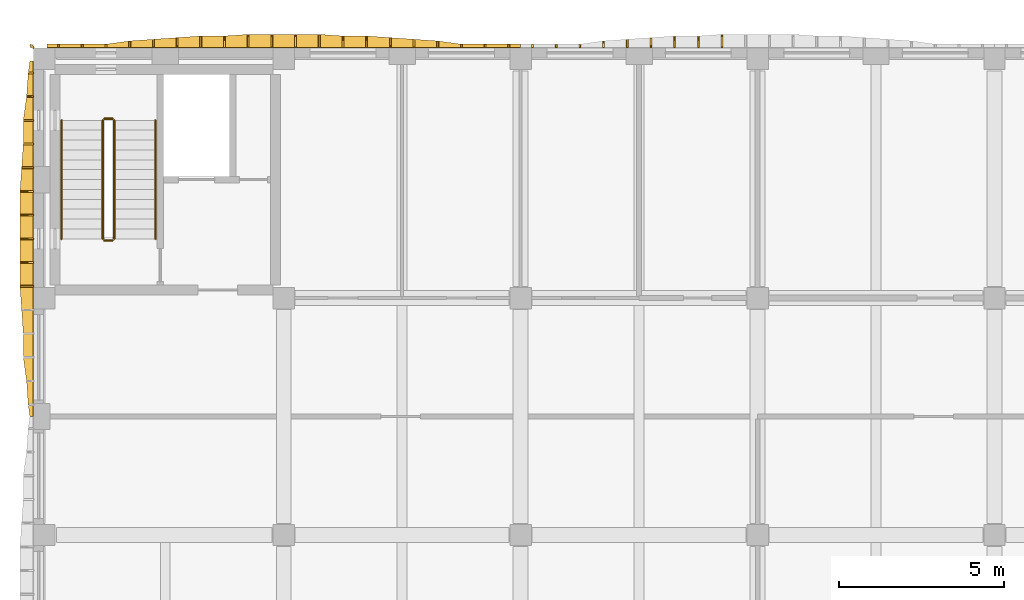
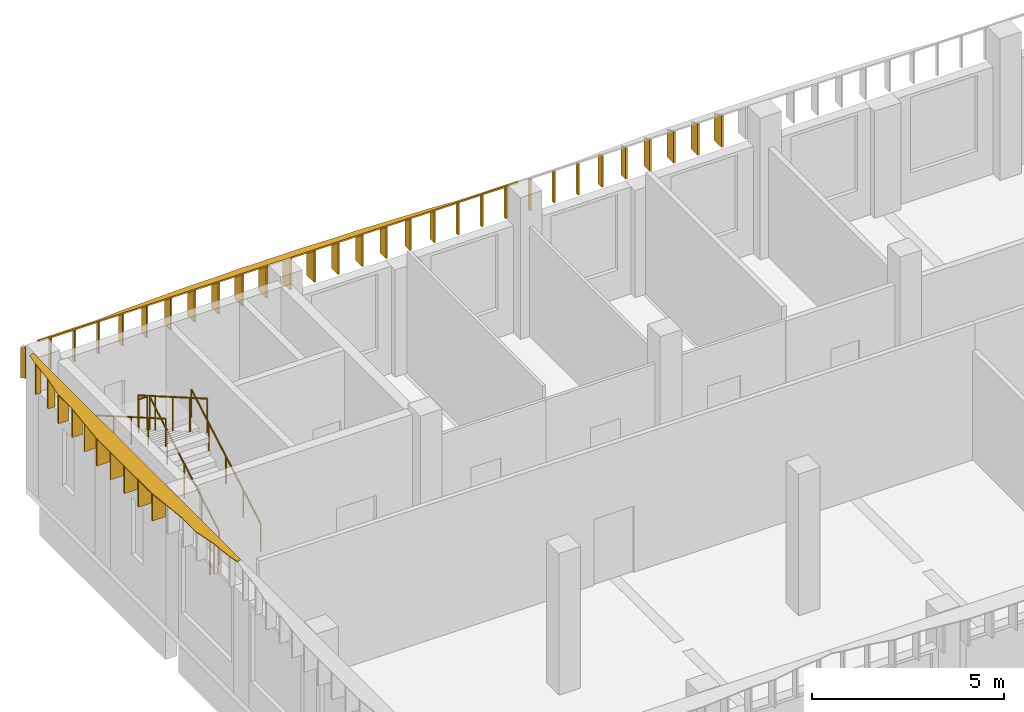
# One storey, part 44 of 58: 42 shading devices, 6 railings.
"""IFC4 building model written with IfcOpenShell, lengths in metres."""

from ifc_helpers import new_model, si_unit, direction, frame, origin, origin_2d, place, context, subcontext, project, spatial, polyline, circle, outline, extrude, material, layer, layer_set, type_object, element, save


model = new_model("IFC4")

# Units and contexts
model_context = context("Model", 3, precision=1e-05, world=origin(), true_north=direction((0.0, 1.0)))
body_context = subcontext(model_context, "Body", "Model", "MODEL_VIEW")
ifc_project = project(units=[si_unit("LENGTHUNIT", "METRE"), si_unit("AREAUNIT", "SQUARE_METRE"), si_unit("VOLUMEUNIT", "CUBIC_METRE"), si_unit("PLANEANGLEUNIT", "RADIAN"), si_unit("MASSUNIT", "GRAM", prefix="KILO")], contexts=[model_context])

# Site, building, storey
site_placement = place(None, origin())
site = spatial("IfcSite", under=ifc_project, at=site_placement, CompositionType="ELEMENT")
building_placement = place(site_placement, origin())
building = spatial("IfcBuilding", under=site, at=building_placement, Name="Ussher Court Research Institute", CompositionType="ELEMENT")
storey_placement = place(building_placement, frame((0.0, 0.0, 9.89990234375)))
storey = spatial("IfcBuildingStorey", under=building, at=storey_placement, Name="L02", CompositionType="ELEMENT", Elevation=9.89990234375)

# Shading devices
ifc_material_1 = material(Name="Bronze anodised aluminium", Category="aluminium")
ifc_layer_1 = layer(ifc_material_1, 0.050048828125)
ifc_layer_set_1 = layer_set([ifc_layer_1], Name="Bronze anodised aluminium")
shading_device_type_1 = type_object("IfcShadingDeviceType", Name="Brim blade 100 mm deep 1000 mm high canted 20 deg dry", PredefinedType="USERDEFINED", material=ifc_layer_set_1)
for number, where, z_axis, x_axis, name in (
    (1, (3.360107421875, 90.800048828125, 3.4501953125), (0.0, 0.0, 1.0), (0.0, 1.0, 0.0), "Brim blade BS17 L02"),
    (2, (4.080078125, 90.800048828125, 3.4501953125), (0.0, 0.0, 1.0), (0.0, 1.0, 0.0), "Brim blade BS17 L02"),
    (3, (4.800048828125, 90.800048828125, 3.4501953125), (0.0, 0.0, 1.0), (0.0, 1.0, 0.0), "Brim blade BS17 L02"),
    (4, (15.60009765625, 90.800048828125, 3.4501953125), (0.0, 0.0, 1.0), (0.0, 1.0, 0.0), "Brim blade BS17 L02"),
    (5, (16.320068359375, 90.800048828125, 3.4501953125), (0.0, 0.0, 1.0), (0.0, 1.0, 0.0), "Brim blade BS17 L02"),
    (6, (17.0400390625, 90.800048828125, 3.4501953125), (0.0, 0.0, 1.0), (0.0, 1.0, 0.0), "Brim blade BS17 L02"),
    (7, (17.760009765625, 90.800048828125, 3.4501953125), (0.0, 0.0, 1.0), (0.0, 1.0, 0.0), "Brim blade BS17 L02"),
    (8, (18.47998046875, 90.800048828125, 3.4501953125), (0.0, 0.0, 1.0), (0.0, 1.0, 0.0), "Brim blade BS17 L02"),
    (9, (19.199951171875, 90.800048828125, 3.4501953125), (0.0, 0.0, 1.0), (0.0, 1.0, 0.0), "Brim blade BS17 L02"),
):
    element("IfcShadingDevice", number, at=place(storey_placement, frame(where, z_axis=z_axis, x_axis=x_axis)), inside=storey, type_object=shading_device_type_1, Name=name, ObjectType="BLADE", PredefinedType="USERDEFINED", context=body_context, shape_type="SweptSolid", body=[
        extrude(outline(polyline([(0.0, 0.0), (0.099853515625, 0.0), (0.10009765625, 0.963623046875), (0.0, 1.0), (0.0, 0.0)])), frame((0.0, 0.02490234375, 0.0), z_axis=(0.0, -1.0, 0.0), x_axis=(1.0, 0.0, 0.0)), (0.0, 0.0, 1.0), 0.050048828125),
    ])
ifc_material_2 = material(Name="Bronze anodised aluminium", Category="aluminium")
ifc_layer_2 = layer(ifc_material_2, 0.050048828125)
ifc_layer_set_2 = layer_set([ifc_layer_2], Name="Bronze anodised aluminium")
shading_device_type_2 = type_object("IfcShadingDeviceType", Name="Brim blade 150 mm deep 1000 mm high canted 20 deg dry", PredefinedType="USERDEFINED", material=ifc_layer_set_2)
shading_device_1_placement = place(storey_placement, frame((2.60009765625, 90.0400390625, 3.4501953125), z_axis=(0.0, 0.0, 1.0), x_axis=(-1.0, 0.0, 0.0)))
element("IfcShadingDevice", 10, at=shading_device_1_placement, inside=storey, type_object=shading_device_type_2, Name="Brim blade BS16 L02", ObjectType="BLADE", PredefinedType="USERDEFINED", context=body_context, shape_type="SweptSolid", body=[
    extrude(outline(polyline([(0.0, 0.0), (0.150146484375, 0.0), (0.14990234375, 0.9453125), (0.0, 1.0), (0.0, 0.0)])), frame((0.0, 0.02490234375, 0.0), z_axis=(0.0, -1.0, 0.0), x_axis=(1.0, 0.0, 0.0)), (0.0, 0.0, 1.0), 0.050048828125),
])
ifc_material_3 = material(Name="Bronze anodised aluminium", Category="aluminium")
ifc_layer_3 = layer(ifc_material_3, 0.050048828125)
ifc_layer_set_3 = layer_set([ifc_layer_3], Name="Bronze anodised aluminium")
shading_device_type_3 = type_object("IfcShadingDeviceType", Name="Brim blade 200 mm deep 1000 mm high canted 20 deg dry", PredefinedType="USERDEFINED", material=ifc_layer_set_3)
for number, where, z_axis, x_axis, name in (
    (11, (5.52001953125, 90.800048828125, 3.4501953125), (0.0, 0.0, 1.0), (0.0, 1.0, 0.0), "Brim blade BS15 L02"),
    (12, (14.8798828125, 90.800048828125, 3.4501953125), (0.0, 0.0, 1.0), (0.0, 1.0, 0.0), "Brim blade BS15 L02"),
    (13, (19.919921875, 90.800048828125, 3.4501953125), (0.0, 0.0, 1.0), (0.0, 1.0, 0.0), "Brim blade BS15 L02"),
):
    element("IfcShadingDevice", number, at=place(storey_placement, frame(where, z_axis=z_axis, x_axis=x_axis)), inside=storey, type_object=shading_device_type_3, Name=name, ObjectType="BLADE", PredefinedType="USERDEFINED", context=body_context, shape_type="SweptSolid", body=[
        extrude(outline(polyline([(0.0, 0.0), (0.199951171875, 0.0), (0.199951171875, 0.927001953125), (0.0, 1.0), (0.0, 0.0)])), frame((0.0, 0.02490234375, 0.0), z_axis=(0.0, -1.0, 0.0), x_axis=(1.0, 0.0, 0.0)), (0.0, 0.0, 1.0), 0.050048828125),
    ])
shading_device_2_placement = place(storey_placement, frame((2.60009765625, 89.320068359375, 3.4501953125), z_axis=(0.0, 0.0, 1.0), x_axis=(-1.0, 0.0, 0.0)))
element("IfcShadingDevice", 14, at=shading_device_2_placement, inside=storey, type_object=shading_device_type_3, Name="Brim blade BS15 L02", ObjectType="BLADE", PredefinedType="USERDEFINED", context=body_context, shape_type="SweptSolid", body=[
    extrude(outline(polyline([(0.0, 0.0), (0.2001953125, 0.0), (0.199951171875, 0.927001953125), (0.0, 1.0), (0.0, 0.0)])), frame((0.0, 0.02490234375, 0.0), z_axis=(0.0, -1.0, 0.0), x_axis=(1.0, 0.0, 0.0)), (0.0, 0.0, 1.0), 0.050048828125),
])
ifc_material_4 = material(Name="Bronze anodised aluminium", Category="aluminium")
ifc_layer_4 = layer(ifc_material_4, 0.050048828125)
ifc_layer_set_4 = layer_set([ifc_layer_4], Name="Bronze anodised aluminium")
shading_device_type_4 = type_object("IfcShadingDeviceType", Name="Brim blade 250 mm deep 1000 mm high canted 20 deg dry", PredefinedType="USERDEFINED", material=ifc_layer_set_4)
for number, where, z_axis, x_axis, name in (
    (15, (6.239990234375, 90.800048828125, 3.4501953125), (0.0, 0.0, 1.0), (0.0, 1.0, 0.0), "Brim blade BS14 L02"),
    (16, (14.159912109375, 90.800048828125, 3.4501953125), (0.0, 0.0, 1.0), (0.0, 1.0, 0.0), "Brim blade BS14 L02"),
    (17, (20.639892578125, 90.800048828125, 3.4501953125), (0.0, 0.0, 1.0), (0.0, 1.0, 0.0), "Brim blade BS14 L02"),
):
    element("IfcShadingDevice", number, at=place(storey_placement, frame(where, z_axis=z_axis, x_axis=x_axis)), inside=storey, type_object=shading_device_type_4, Name=name, ObjectType="BLADE", PredefinedType="USERDEFINED", context=body_context, shape_type="SweptSolid", body=[
        extrude(outline(polyline([(0.0, 0.0), (0.25, 0.0), (0.25, 0.908935546875), (0.0, 1.0), (0.0, 0.0)])), frame((0.0, 0.02490234375, 0.0), z_axis=(0.0, -1.0, 0.0), x_axis=(1.0, 0.0, 0.0)), (0.0, 0.0, 1.0), 0.050048828125),
    ])
ifc_material_5 = material(Name="Bronze anodised aluminium", Category="aluminium")
ifc_layer_5 = layer(ifc_material_5, 0.050048828125)
ifc_layer_set_5 = layer_set([ifc_layer_5], Name="Bronze anodised aluminium")
shading_device_type_5 = type_object("IfcShadingDeviceType", Name="Brim blade 300 mm deep 1000 mm high canted 20 deg dry", PredefinedType="USERDEFINED", material=ifc_layer_set_5)
for number, where, z_axis, x_axis, name in (
    (18, (6.9599609375, 90.800048828125, 3.4501953125), (0.0, 0.0, 1.0), (0.0, 1.0, 0.0), "Brim blade BS13 L02"),
    (19, (13.43994140625, 90.800048828125, 3.4501953125), (0.0, 0.0, 1.0), (0.0, 1.0, 0.0), "Brim blade BS13 L02"),
    (20, (21.360107421875, 90.800048828125, 3.4501953125), (0.0, 0.0, 1.0), (0.0, 1.0, 0.0), "Brim blade BS13 L02"),
    (21, (2.60009765625, 87.8798828125, 3.4501953125), (0.0, 0.0, 1.0), (-1.0, 0.0, 0.0), "Brim blade BS13 L02"),
    (22, (2.60009765625, 88.60009765625, 3.4501953125), (0.0, 0.0, 1.0), (-1.0, 0.0, 0.0), "Brim blade BS13 L02"),
):
    element("IfcShadingDevice", number, at=place(storey_placement, frame(where, z_axis=z_axis, x_axis=x_axis)), inside=storey, type_object=shading_device_type_5, Name=name, ObjectType="BLADE", PredefinedType="USERDEFINED", context=body_context, shape_type="SweptSolid", body=[
        extrude(outline(polyline([(0.0, 0.0), (0.300048828125, 0.0), (0.300048828125, 0.890625), (0.0, 1.0), (0.0, 0.0)])), frame((0.0, 0.02490234375, 0.0), z_axis=(0.0, -1.0, 0.0), x_axis=(1.0, 0.0, 0.0)), (0.0, 0.0, 1.0), 0.050048828125),
    ])
ifc_material_6 = material(Name="Bronze anodised aluminium", Category="aluminium")
ifc_layer_6 = layer(ifc_material_6, 0.050048828125)
ifc_layer_set_6 = layer_set([ifc_layer_6], Name="Bronze anodised aluminium")
shading_device_type_6 = type_object("IfcShadingDeviceType", Name="Brim blade 350 mm deep 1000 mm high canted 20 deg dry", PredefinedType="USERDEFINED", material=ifc_layer_set_6)
for number, where, z_axis, x_axis, name in (
    (23, (7.679931640625, 90.800048828125, 3.4501953125), (0.0, 0.0, 1.0), (0.0, 1.0, 0.0), "Brim blade BS12 L02"),
    (24, (8.39990234375, 90.800048828125, 3.4501953125), (0.0, 0.0, 1.0), (0.0, 1.0, 0.0), "Brim blade BS12 L02"),
    (25, (12.0, 90.800048828125, 3.4501953125), (0.0, 0.0, 1.0), (0.0, 1.0, 0.0), "Brim blade BS12 L02"),
    (26, (12.719970703125, 90.800048828125, 3.4501953125), (0.0, 0.0, 1.0), (0.0, 1.0, 0.0), "Brim blade BS12 L02"),
    (27, (22.080078125, 90.800048828125, 3.4501953125), (0.0, 0.0, 1.0), (0.0, 1.0, 0.0), "Brim blade BS12 L02"),
    (28, (22.800048828125, 90.800048828125, 3.4501953125), (0.0, 0.0, 1.0), (0.0, 1.0, 0.0), "Brim blade BS12 L02"),
):
    element("IfcShadingDevice", number, at=place(storey_placement, frame(where, z_axis=z_axis, x_axis=x_axis)), inside=storey, type_object=shading_device_type_6, Name=name, ObjectType="BLADE", PredefinedType="USERDEFINED", context=body_context, shape_type="SweptSolid", body=[
        extrude(outline(polyline([(0.0, 0.0), (0.349853515625, 0.0), (0.35009765625, 0.87255859375), (0.0, 1.0), (0.0, 0.0)])), frame((0.0, 0.02490234375, 0.0), z_axis=(0.0, -1.0, 0.0), x_axis=(1.0, 0.0, 0.0)), (0.0, 0.0, 1.0), 0.050048828125),
    ])
shading_device_3_placement = place(storey_placement, frame((2.60009765625, 87.159912109375, 3.4501953125), z_axis=(0.0, 0.0, 1.0), x_axis=(-1.0, 0.0, 0.0)))
element("IfcShadingDevice", 29, at=shading_device_3_placement, inside=storey, type_object=shading_device_type_6, Name="Brim blade BS12 L02", ObjectType="BLADE", PredefinedType="USERDEFINED", context=body_context, shape_type="SweptSolid", body=[
    extrude(outline(polyline([(0.0, 0.0), (0.35009765625, 0.0), (0.35009765625, 0.87255859375), (0.0, 1.0), (0.0, 0.0)])), frame((0.0, 0.02490234375, 0.0), z_axis=(0.0, -1.0, 0.0), x_axis=(1.0, 0.0, 0.0)), (0.0, 0.0, 1.0), 0.050048828125),
])
ifc_material_7 = material(Name="Bronze anodised aluminium", Category="aluminium")
ifc_layer_7 = layer(ifc_material_7, 0.050048828125)
ifc_layer_set_7 = layer_set([ifc_layer_7], Name="Bronze anodised aluminium")
shading_device_type_7 = type_object("IfcShadingDeviceType", Name="Brim blade 400 mm deep 1000 mm high canted 20 deg dry", PredefinedType="USERDEFINED", material=ifc_layer_set_7)
for number, where, z_axis, x_axis, name in (
    (30, (9.1201171875, 90.800048828125, 3.4501953125), (0.0, 0.0, 1.0), (0.0, 1.0, 0.0), "Brim blade BS11 L02"),
    (31, (9.840087890625, 90.800048828125, 3.4501953125), (0.0, 0.0, 1.0), (0.0, 1.0, 0.0), "Brim blade BS11 L02"),
    (32, (10.56005859375, 90.800048828125, 3.4501953125), (0.0, 0.0, 1.0), (0.0, 1.0, 0.0), "Brim blade BS11 L02"),
    (33, (11.280029296875, 90.800048828125, 3.4501953125), (0.0, 0.0, 1.0), (0.0, 1.0, 0.0), "Brim blade BS11 L02"),
    (34, (23.52001953125, 90.800048828125, 3.4501953125), (0.0, 0.0, 1.0), (0.0, 1.0, 0.0), "Brim blade BS11 L02"),
):
    element("IfcShadingDevice", number, at=place(storey_placement, frame(where, z_axis=z_axis, x_axis=x_axis)), inside=storey, type_object=shading_device_type_7, Name=name, ObjectType="BLADE", PredefinedType="USERDEFINED", context=body_context, shape_type="SweptSolid", body=[
        extrude(outline(polyline([(0.0, 0.0), (0.39990234375, 0.0), (0.39990234375, 0.854248046875), (0.0, 1.0), (0.0, 0.0)])), frame((0.0, 0.02490234375, 0.0), z_axis=(0.0, -1.0, 0.0), x_axis=(1.0, 0.0, 0.0)), (0.0, 0.0, 1.0), 0.050048828125),
    ])
for number, where, z_axis, x_axis, name in (
    (35, (2.60009765625, 83.56005859375, 3.4501953125), (0.0, 0.0, 1.0), (-1.0, 0.0, 0.0), "Brim blade BS11 L02"),
    (36, (2.60009765625, 84.280029296875, 3.4501953125), (0.0, 0.0, 1.0), (-1.0, 0.0, 0.0), "Brim blade BS11 L02"),
    (37, (2.60009765625, 85.0, 3.4501953125), (0.0, 0.0, 1.0), (-1.0, 0.0, 0.0), "Brim blade BS11 L02"),
    (38, (2.60009765625, 85.719970703125, 3.4501953125), (0.0, 0.0, 1.0), (-1.0, 0.0, 0.0), "Brim blade BS11 L02"),
    (39, (2.60009765625, 86.43994140625, 3.4501953125), (0.0, 0.0, 1.0), (-1.0, 0.0, 0.0), "Brim blade BS11 L02"),
):
    element("IfcShadingDevice", number, at=place(storey_placement, frame(where, z_axis=z_axis, x_axis=x_axis)), inside=storey, type_object=shading_device_type_7, Name=name, ObjectType="BLADE", PredefinedType="USERDEFINED", context=body_context, shape_type="SweptSolid", body=[
        extrude(outline(polyline([(0.0, 0.0), (0.400146484375, 0.0), (0.39990234375, 0.854248046875), (0.0, 1.0), (0.0, 0.0)])), frame((0.0, 0.02490234375, 0.0), z_axis=(0.0, -1.0, 0.0), x_axis=(1.0, 0.0, 0.0)), (0.0, 0.0, 1.0), 0.050048828125),
    ])
ifc_material_8 = material(Name="Bronze anodised aluminium", Category="aluminium")
ifc_layer_8 = layer(ifc_material_8, 0.050048828125)
ifc_layer_set_8 = layer_set([ifc_layer_8], Name="Bronze anodised aluminium")
shading_device_type_8 = type_object("IfcShadingDeviceType", Name="Brim mitre blade 100 mm deep 1000 mm high canted 20 deg dry", PredefinedType="USERDEFINED", material=ifc_layer_set_8)
shading_device_4_placement = place(storey_placement, frame((2.60009765625, 90.800048828125, 3.4501953125), z_axis=(0.0, 0.0, 1.0), x_axis=(-0.707969631694, 0.706242876495, 0.0)))
element("IfcShadingDevice", 40, at=shading_device_4_placement, inside=storey, type_object=shading_device_type_8, Name="Brim mitre blade BS19 L02", ObjectType="BLADE", PredefinedType="USERDEFINED", context=body_context, shape_type="SweptSolid", body=[
    extrude(outline(polyline([(0.0, 0.0), (0.141357421875, 0.0), (0.141357421875, 0.927001953125), (0.0, 1.0), (0.0, 0.0)])), frame((0.0, 0.02490234375, 0.0), z_axis=(0.0, -1.0, 0.0), x_axis=(1.0, 0.0, 0.0)), (0.0, 0.0, 1.0), 0.050048828125),
])
ifc_material_9 = material(Name="Bronze anodised aluminium", Category="aluminium")
ifc_layer_9 = layer(ifc_material_9, 0.0400390625)
ifc_layer_set_9 = layer_set([ifc_layer_9], Name="Bronze anodised aluminium")
shading_device_type_9 = type_object("IfcShadingDeviceType", Name="Brim visor sheet 40 mm canted 20 deg dry", PredefinedType="USERDEFINED", material=ifc_layer_set_9)
shading_device_5_placement = place(storey_placement, frame((3.0, 90.813720703125, 4.48779296875), z_axis=(0.0, 0.342255789242, 0.939606819223), x_axis=(1.0, 0.0, 0.0)))
element("IfcShadingDevice", 41, at=shading_device_5_placement, inside=storey, type_object=shading_device_type_9, Name="Brim visor sheet BR2 L02", ObjectType="BRIM", PredefinedType="USERDEFINED", context=body_context, shape_type="SweptSolid", body=[
    extrude(outline(polyline([(0.0, 0.0), (14.39990234375, 0.0), (14.39990234375, 0.10650266320275441), (14.0400390625, 0.10650266320275441), (13.320068359375, 0.10650266320275441), (12.60009765625, 0.10650266320275441), (11.8798828125, 0.21285948875170477), (11.159912109375, 0.2660690410819343), (10.43994140625, 0.3193621519544592), (9.719970703125, 0.3725717042846887), (9.0, 0.3725717042846887), (8.280029296875, 0.42563541896111423), (7.56005859375, 0.42563541896111423), (6.840087890625, 0.42563541896111423), (6.1201171875, 0.42563541896111423), (5.39990234375, 0.3725717042846887), (4.679931640625, 0.3725717042846887), (3.9599609375, 0.3193621519544592), (3.239990234375, 0.2660690410819343), (2.52001953125, 0.21285948875170477), (1.800048828125, 0.10650266320275441), (1.080078125, 0.10650266320275441), (0.360107421875, 0.10650266320275441), (0.0, 0.10650266320275441), (0.0, 0.0)])), origin(), (0.0, 0.0, -1.0), 0.0400390625),
])
shading_device_6_placement = place(storey_placement, frame((2.586181640625, 79.60009765625, 4.48779296875), z_axis=(-0.342542336127, 0.0, 0.939502393802), x_axis=(0.0, 1.0, 0.0)))
element("IfcShadingDevice", 42, at=shading_device_6_placement, inside=storey, type_object=shading_device_type_9, Name="Brim visor sheet BR2 L02", ObjectType="BRIM", PredefinedType="USERDEFINED", context=body_context, shape_type="SweptSolid", body=[
    extrude(outline(polyline([(0.0, 0.0), (10.7998046875, 0.0), (10.7998046875, 0.10627326346390428), (10.43994140625, 0.1595663947966779), (9.719970703125, 0.21285952612945153), (9.0, 0.3191327895933558), (8.27978515625, 0.3191327895933558), (7.559814453125, 0.3723422924260984), (6.83984375, 0.425635423758872), (6.119873046875, 0.425635423758872), (5.39990234375, 0.425635423758872), (4.679931640625, 0.425635423758872), (3.9599609375, 0.425635423758872), (3.239990234375, 0.3723422924260984), (2.52001953125, 0.3191327895933558), (1.7998046875, 0.3191327895933558), (1.079833984375, 0.21285952612945153), (0.35986328125, 0.1595663947966779), (0.0, 0.10627326346390428), (0.0, 0.0)])), origin(), (0.0, 0.0, -1.0), 0.0400390625),
])

# Railings
ifc_material_10 = material(Name="Painted steel balustrade", Category="steel")
railing_type_1 = type_object("IfcRailingType", Name="Stair guard 1100 steel balustrade", PredefinedType="GUARDRAIL", material=ifc_material_10)
railing_1_placement = place(storey_placement, frame((5.050048828125, 85.0, 0.173095703125)))
element("IfcRailing", 43, at=railing_1_placement, inside=storey, type_object=railing_type_1, Name="L02 D1 stair guard 1", PredefinedType="GUARDRAIL", context=body_context, shape_type="SweptSolid", body=[
    extrude(circle(Radius=0.02392578125, at=origin_2d()), frame((0.0, 0.0, 1.076171875), z_axis=(0.0, 0.866193409371, 0.499708892819), x_axis=(-1.0, 0.0, 0.0)), (0.0, 0.0, 1.0), 4.15625),
    extrude(circle(Radius=0.02099609375, at=origin_2d()), origin(), (0.0, 0.0, 1.0), 1.052001953125),
    extrude(circle(Radius=0.02099609375, at=origin_2d()), frame((0.0, 0.89990234375, 0.519287109375)), (0.0, 0.0, 1.0), 1.052001953125),
    extrude(circle(Radius=0.02099609375, at=origin_2d()), frame((0.0, 1.800048828125, 1.03857421875)), (0.0, 0.0, 1.0), 1.052001953125),
    extrude(circle(Radius=0.02099609375, at=origin_2d()), frame((0.0, 2.7001953125, 1.5576171875)), (0.0, 0.0, 1.0), 1.052001953125),
    extrude(circle(Radius=0.02099609375, at=origin_2d()), frame((0.0, 3.60009765625, 2.076904296875)), (0.0, 0.0, 1.0), 1.052001953125),
])
railing_2_placement = place(storey_placement, frame((5.0, 88.64990234375, 2.25)))
element("IfcRailing", 44, at=railing_2_placement, inside=storey, type_object=railing_type_1, Name="L02 D1 stair guard 2", PredefinedType="GUARDRAIL", context=body_context, shape_type="SweptSolid", body=[
    extrude(circle(Radius=0.02392578125, at=origin_2d()), frame((0.0, 0.0, 1.076171875), z_axis=(-1.0, 0.0, 0.0), x_axis=(0.0, -1.0, 0.0)), (0.0, 0.0, 1.0), 0.25),
    extrude(circle(Radius=0.02099609375, at=origin_2d()), origin(), (0.0, 0.0, 1.0), 1.052001953125),
    extrude(circle(Radius=0.02099609375, at=origin_2d()), frame((-0.25, 0.0, 0.0)), (0.0, 0.0, 1.0), 1.052001953125),
])
railing_3_placement = place(storey_placement, frame((4.699951171875, 88.60009765625, 2.423095703125)))
element("IfcRailing", 45, at=railing_3_placement, inside=storey, type_object=railing_type_1, Name="L02 D1 stair guard 3", PredefinedType="GUARDRAIL", context=body_context, shape_type="SweptSolid", body=[
    extrude(circle(Radius=0.02392578125, at=origin_2d()), frame((0.0, 0.0, 1.076171875), z_axis=(0.0, -0.866193409371, 0.499708892819), x_axis=(1.0, 0.0, 0.0)), (0.0, 0.0, 1.0), 4.15625),
    extrude(circle(Radius=0.02099609375, at=origin_2d()), origin(), (0.0, 0.0, 1.0), 1.052001953125),
    extrude(circle(Radius=0.02099609375, at=origin_2d()), frame((0.0, -0.89990234375, 0.519287109375)), (0.0, 0.0, 1.0), 1.052001953125),
    extrude(circle(Radius=0.02099609375, at=origin_2d()), frame((0.0, -1.800048828125, 1.03857421875)), (0.0, 0.0, 1.0), 1.052001953125),
    extrude(circle(Radius=0.02099609375, at=origin_2d()), frame((0.0, -2.7001953125, 1.5576171875)), (0.0, 0.0, 1.0), 1.052001953125),
    extrude(circle(Radius=0.02099609375, at=origin_2d()), frame((0.0, -3.60009765625, 2.076904296875)), (0.0, 0.0, 1.0), 1.052001953125),
])
railing_4_placement = place(storey_placement, frame((5.0, 84.949951171875, 0.0)))
element("IfcRailing", 46, at=railing_4_placement, inside=storey, type_object=railing_type_1, Name="L02 D1 stair guard 4", PredefinedType="GUARDRAIL", context=body_context, shape_type="SweptSolid", body=[
    extrude(circle(Radius=0.02392578125, at=origin_2d()), frame((0.0, 0.0, 1.076171875), z_axis=(-1.0, 0.0, 0.0), x_axis=(0.0, -1.0, 0.0)), (0.0, 0.0, 1.0), 0.25),
    extrude(circle(Radius=0.02099609375, at=origin_2d()), origin(), (0.0, 0.0, 1.0), 1.052001953125),
    extrude(circle(Radius=0.02099609375, at=origin_2d()), frame((-0.25, 0.0, 0.0)), (0.0, 0.0, 1.0), 1.052001953125),
])
ifc_material_11 = material(Name="Painted steel handrail", Category="steel")
railing_type_2 = type_object("IfcRailingType", Name="Stair handrail 900 steel", PredefinedType="HANDRAIL", material=ifc_material_11)
railing_5_placement = place(storey_placement, frame((6.300048828125, 85.0, 0.173095703125)))
element("IfcRailing", 47, at=railing_5_placement, inside=storey, type_object=railing_type_2, Name="L02 D1 stair handrail 1", PredefinedType="HANDRAIL", context=body_context, shape_type="SweptSolid", body=[
    extrude(circle(Radius=0.02392578125, at=origin_2d()), frame((0.0, 0.0, 0.8759765625), z_axis=(0.0, 0.866193409371, 0.499708892819), x_axis=(-1.0, 0.0, 0.0)), (0.0, 0.0, 1.0), 4.15625),
    extrude(circle(Radius=0.02099609375, at=origin_2d()), origin(), (0.0, 0.0, 1.0), 0.851806640625),
    extrude(circle(Radius=0.02099609375, at=origin_2d()), frame((0.0, 0.89990234375, 0.519287109375)), (0.0, 0.0, 1.0), 0.851806640625),
    extrude(circle(Radius=0.02099609375, at=origin_2d()), frame((0.0, 1.800048828125, 1.03857421875)), (0.0, 0.0, 1.0), 0.851806640625),
    extrude(circle(Radius=0.02099609375, at=origin_2d()), frame((0.0, 2.7001953125, 1.5576171875)), (0.0, 0.0, 1.0), 0.851806640625),
    extrude(circle(Radius=0.02099609375, at=origin_2d()), frame((0.0, 3.60009765625, 2.076904296875)), (0.0, 0.0, 1.0), 0.851806640625),
])
railing_6_placement = place(storey_placement, frame((3.449951171875, 88.60009765625, 2.423095703125)))
element("IfcRailing", 48, at=railing_6_placement, inside=storey, type_object=railing_type_2, Name="L02 D1 stair handrail 2", PredefinedType="HANDRAIL", context=body_context, shape_type="SweptSolid", body=[
    extrude(circle(Radius=0.02392578125, at=origin_2d()), frame((0.0, 0.0, 0.8759765625), z_axis=(0.0, -0.866193409371, 0.499708892819), x_axis=(1.0, 0.0, 0.0)), (0.0, 0.0, 1.0), 4.15625),
    extrude(circle(Radius=0.02099609375, at=origin_2d()), origin(), (0.0, 0.0, 1.0), 0.851806640625),
    extrude(circle(Radius=0.02099609375, at=origin_2d()), frame((0.0, -0.89990234375, 0.519287109375)), (0.0, 0.0, 1.0), 0.851806640625),
    extrude(circle(Radius=0.02099609375, at=origin_2d()), frame((0.0, -1.800048828125, 1.03857421875)), (0.0, 0.0, 1.0), 0.851806640625),
    extrude(circle(Radius=0.02099609375, at=origin_2d()), frame((0.0, -2.7001953125, 1.5576171875)), (0.0, 0.0, 1.0), 0.851806640625),
    extrude(circle(Radius=0.02099609375, at=origin_2d()), frame((0.0, -3.60009765625, 2.076904296875)), (0.0, 0.0, 1.0), 0.851806640625),
])

save(model, "model.ifc")
